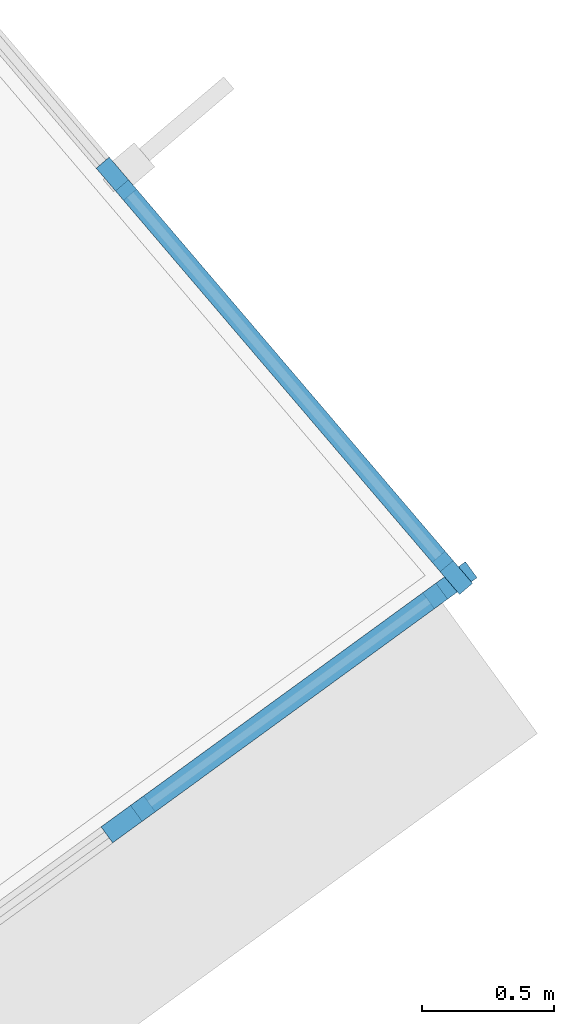
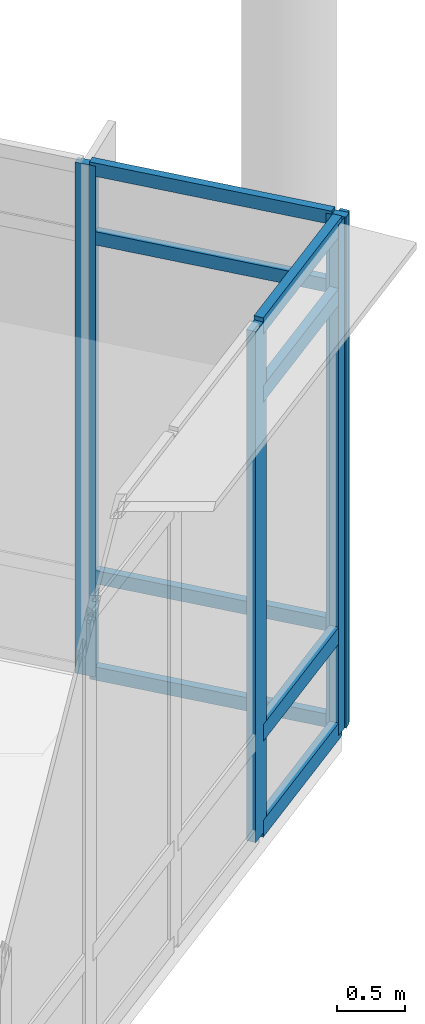
# One storey, part 16 of 92: 12 members, 2 elements without a shape of their own.
"""IFC4 building model written with IfcOpenShell, lengths in metres."""

from ifc_helpers import new_model, si_unit, direction, frame, origin, origin_2d, place, context, subcontext, project, spatial, rectangle, extrude, material, layer, layer_set, material_profile, profile_set, type_object, element, aggregate, save


model = new_model("IFC4")

# Units and contexts
model_context = context("Model", 3, precision=1e-05, world=origin(), true_north=direction((0.0, 1.0)))
body_context = subcontext(model_context, "Body", "Model", "MODEL_VIEW")
ifc_project = project(units=[si_unit("LENGTHUNIT", "METRE"), si_unit("AREAUNIT", "SQUARE_METRE"), si_unit("VOLUMEUNIT", "CUBIC_METRE"), si_unit("PLANEANGLEUNIT", "RADIAN"), si_unit("MASSUNIT", "GRAM", prefix="KILO")], contexts=[model_context])

# Site, building, storey
site_placement = place(None, origin())
site = spatial("IfcSite", under=ifc_project, at=site_placement, CompositionType="ELEMENT")
building_placement = place(site_placement, origin())
building = spatial("IfcBuilding", under=site, at=building_placement, Name="Namkhue Oval Health Centre", CompositionType="ELEMENT")
storey_placement = place(building_placement, frame((0.0, 0.0, 4.800048828125)))
storey = spatial("IfcBuildingStorey", under=building, at=storey_placement, Name="L01", CompositionType="ELEMENT", Elevation=4.800048828125)

# Curtain wall, members
ifc_material = material(Name="Anodised aluminium EN AW-6063 T6", Category="aluminium")
ifc_layer_1 = layer(ifc_material, 0.159912109375)
ifc_layer_set_1 = layer_set([ifc_layer_1], Name="Anodised aluminium EN AW-6063 T6")
curtain_wall_type_1 = type_object("IfcCurtainWallType", Name="UNITISED CURTAIN WALL M1800", PredefinedType="NOTDEFINED", material=ifc_layer_set_1)
curtain_wall_1_placement = place(storey_placement, origin())
curtain_wall_1 = element("IfcCurtainWall", 1, at=curtain_wall_1_placement, inside=storey, type_object=curtain_wall_type_1, Name="Volume V1 L01 Unitised Curtain Wall 23", PredefinedType="NOTDEFINED")
ifc_material_profile_1 = material_profile(ifc_material, rectangle(XDim=0.06494140625, YDim=0.159912109375, at=origin_2d()), Name="ALU 65x160")
ifc_profile_set_1 = profile_set([ifc_material_profile_1], Name="Anodised aluminium EN AW-6063 T6")
member_type_1 = type_object("IfcMemberType", Name="CURTAIN WALL MULLION 65X160", PredefinedType="MULLION", material=ifc_profile_set_1)
member_1_placement = place(storey_placement, frame((71.596923828125, 46.227783203125, 0.0), z_axis=(0.0, 0.0, 1.0), x_axis=(-0.761004950887, -0.648746071067, 0.0)))
member_1 = element("IfcMember", 2, at=member_1_placement, type_object=member_type_1, Name="CW-05 mullion 1", PredefinedType="MULLION", context=body_context, shape_type="SweptSolid", body=[
    extrude(rectangle(XDim=0.06494140625, YDim=0.159912109375, at=origin_2d()), origin(), (0.0, 0.0, 1.0), 4.599853515625),
])
member_2_placement = place(storey_placement, frame((70.323486328125, 47.721435546875, 0.0), z_axis=(0.0, 0.0, 1.0), x_axis=(-0.761004950887, -0.648746071067, 0.0)))
member_2 = element("IfcMember", 3, at=member_2_placement, type_object=member_type_1, Name="CW-05 mullion 2", PredefinedType="MULLION", context=body_context, shape_type="SweptSolid", body=[
    extrude(rectangle(XDim=0.06494140625, YDim=0.159912109375, at=origin_2d()), origin(), (0.0, 0.0, 1.0), 4.599853515625),
])

ifc_layer_2 = layer(ifc_material, 0.159912109375)
ifc_layer_set_2 = layer_set([ifc_layer_2], Name="Anodised aluminium EN AW-6063 T6")
curtain_wall_type_2 = type_object("IfcCurtainWallType", Name="UNITISED CURTAIN WALL M1600", PredefinedType="NOTDEFINED", material=ifc_layer_set_2)
curtain_wall_2_placement = place(storey_placement, origin())
curtain_wall_2 = element("IfcCurtainWall", 4, at=curtain_wall_2_placement, inside=storey, type_object=curtain_wall_type_2, Name="Volume V1 L01 Unitised Curtain Wall 22", PredefinedType="NOTDEFINED")
ifc_material_profile_2 = material_profile(ifc_material, rectangle(XDim=0.074951171875, YDim=0.199951171875, at=origin_2d()), Name="ALU 75x200")
ifc_profile_set_2 = profile_set([ifc_material_profile_2], Name="Anodised aluminium EN AW-6063 T6")
member_type_2 = type_object("IfcMemberType", Name="CURTAIN WALL MULLION 75X200", PredefinedType="MULLION", material=ifc_profile_set_2)
member_3_placement = place(storey_placement, frame((70.3681640625, 45.29345703125, 0.0), z_axis=(0.0, 0.0, 1.0), x_axis=(-0.588476942894, 0.808513999682, 0.0)))
member_3 = element("IfcMember", 5, at=member_3_placement, type_object=member_type_2, Name="CW-04 mullion 11", PredefinedType="MULLION", context=body_context, shape_type="SweptSolid", body=[
    extrude(rectangle(XDim=0.074951171875, YDim=0.199951171875, at=origin_2d()), origin(), (0.0, 0.0, 1.0), 4.599853515625),
])
member_4_placement = place(storey_placement, frame((71.587646484375, 46.180908203125, 0.0), z_axis=(0.0, 0.0, 1.0), x_axis=(-0.588476942894, 0.808513999682, 0.0)))
member_4 = element("IfcMember", 6, at=member_4_placement, type_object=member_type_2, Name="CW-04 mullion 12", PredefinedType="MULLION", context=body_context, shape_type="SweptSolid", body=[
    extrude(rectangle(XDim=0.074951171875, YDim=0.199951171875, at=origin_2d()), origin(), (0.0, 0.0, 1.0), 4.599853515625),
])

# Member
ifc_material_profile_3 = material_profile(ifc_material, rectangle(XDim=0.06494140625, YDim=0.1201171875, at=origin_2d()), Name="ALU 65x120")
ifc_profile_set_3 = profile_set([ifc_material_profile_3], Name="Anodised aluminium EN AW-6063 T6")
member_type_3 = type_object("IfcMemberType", Name="CURTAIN WALL TRANSOM 65X120", PredefinedType="USERDEFINED", material=ifc_profile_set_3)
member_5_placement = place(storey_placement, frame((71.575927734375, 46.25244140625, 0.032470703125), z_axis=(-0.648797676757, 0.760960954737, 0.0), x_axis=(-0.760960954737, -0.648797676757, 0.0)))
member_5 = element("IfcMember", 7, at=member_5_placement, type_object=member_type_3, Name="CW-05 transom 1.1", ObjectType="TRANSOM", PredefinedType="USERDEFINED", context=body_context, shape_type="SweptSolid", body=[
    extrude(rectangle(XDim=0.06494140625, YDim=0.1201171875, at=origin_2d()), origin(), (0.0, 0.0, 1.0), 1.89794921875),
])

member_6_placement = place(storey_placement, frame((71.575927734375, 46.25244140625, 0.89990234375), z_axis=(-0.648797676757, 0.760960954737, 0.0), x_axis=(-0.760960954737, -0.648797676757, 0.0)))
member_6 = element("IfcMember", 8, at=member_6_placement, type_object=member_type_3, Name="CW-05 transom 1.2", ObjectType="TRANSOM", PredefinedType="USERDEFINED", context=body_context, shape_type="SweptSolid", body=[
    extrude(rectangle(XDim=0.06494140625, YDim=0.1201171875, at=origin_2d()), origin(), (0.0, 0.0, 1.0), 1.89794921875),
])

member_7_placement = place(storey_placement, frame((71.575927734375, 46.25244140625, 3.949951171875), z_axis=(-0.648797676757, 0.760960954737, 0.0), x_axis=(-0.760960954737, -0.648797676757, 0.0)))
member_7 = element("IfcMember", 9, at=member_7_placement, type_object=member_type_3, Name="CW-05 transom 1.3", ObjectType="TRANSOM", PredefinedType="USERDEFINED", context=body_context, shape_type="SweptSolid", body=[
    extrude(rectangle(XDim=0.06494140625, YDim=0.1201171875, at=origin_2d()), origin(), (0.0, 0.0, 1.0), 1.89794921875),
])

member_8_placement = place(storey_placement, frame((71.575927734375, 46.25244140625, 4.5673828125), z_axis=(-0.648797676757, 0.760960954737, 0.0), x_axis=(-0.760960954737, -0.648797676757, 0.0)))
member_8 = element("IfcMember", 10, at=member_8_placement, type_object=member_type_3, Name="CW-05 transom 1.4", ObjectType="TRANSOM", PredefinedType="USERDEFINED", context=body_context, shape_type="SweptSolid", body=[
    extrude(rectangle(XDim=0.06494140625, YDim=0.1201171875, at=origin_2d()), origin(), (0.0, 0.0, 1.0), 1.89794921875),
])

aggregate(curtain_wall_1, [member_1, member_2, member_5, member_6, member_7, member_8])

ifc_material_profile_4 = material_profile(ifc_material, rectangle(XDim=0.074951171875, YDim=0.14990234375, at=origin_2d()), Name="ALU 75x150")
ifc_profile_set_4 = profile_set([ifc_material_profile_4], Name="Anodised aluminium EN AW-6063 T6")
member_type_4 = type_object("IfcMemberType", Name="CURTAIN WALL TRANSOM 75X150", PredefinedType="USERDEFINED", material=ifc_profile_set_4)
member_9_placement = place(storey_placement, frame((70.398681640625, 45.3154296875, 0.037353515625), z_axis=(0.808463443425, 0.588546396341, 0.0), x_axis=(-0.588546396341, 0.808463443425, 0.0)))
member_9 = element("IfcMember", 11, at=member_9_placement, type_object=member_type_4, Name="CW-04 transom 11.1", ObjectType="TRANSOM", PredefinedType="USERDEFINED", context=body_context, shape_type="SweptSolid", body=[
    extrude(rectangle(XDim=0.074951171875, YDim=0.14990234375, at=origin_2d()), origin(), (0.0, 0.0, 1.0), 1.43310546875),
])

member_10_placement = place(storey_placement, frame((70.398681640625, 45.3154296875, 0.89990234375), z_axis=(0.808463443425, 0.588546396341, 0.0), x_axis=(-0.588546396341, 0.808463443425, 0.0)))
member_10 = element("IfcMember", 12, at=member_10_placement, type_object=member_type_4, Name="CW-04 transom 11.2", ObjectType="TRANSOM", PredefinedType="USERDEFINED", context=body_context, shape_type="SweptSolid", body=[
    extrude(rectangle(XDim=0.074951171875, YDim=0.14990234375, at=origin_2d()), origin(), (0.0, 0.0, 1.0), 1.43310546875),
])

member_11_placement = place(storey_placement, frame((70.398681640625, 45.3154296875, 3.949951171875), z_axis=(0.808463443425, 0.588546396341, 0.0), x_axis=(-0.588546396341, 0.808463443425, 0.0)))
member_11 = element("IfcMember", 13, at=member_11_placement, type_object=member_type_4, Name="CW-04 transom 11.3", ObjectType="TRANSOM", PredefinedType="USERDEFINED", context=body_context, shape_type="SweptSolid", body=[
    extrude(rectangle(XDim=0.074951171875, YDim=0.14990234375, at=origin_2d()), origin(), (0.0, 0.0, 1.0), 1.43310546875),
])

member_12_placement = place(storey_placement, frame((70.398681640625, 45.3154296875, 4.5625), z_axis=(0.808463443425, 0.588546396341, 0.0), x_axis=(-0.588546396341, 0.808463443425, 0.0)))
member_12 = element("IfcMember", 14, at=member_12_placement, type_object=member_type_4, Name="CW-04 transom 11.4", ObjectType="TRANSOM", PredefinedType="USERDEFINED", context=body_context, shape_type="SweptSolid", body=[
    extrude(rectangle(XDim=0.074951171875, YDim=0.14990234375, at=origin_2d()), origin(), (0.0, 0.0, 1.0), 1.43310546875),
])

aggregate(curtain_wall_2, [member_3, member_4, member_9, member_10, member_11, member_12])

save(model, "model.ifc")
